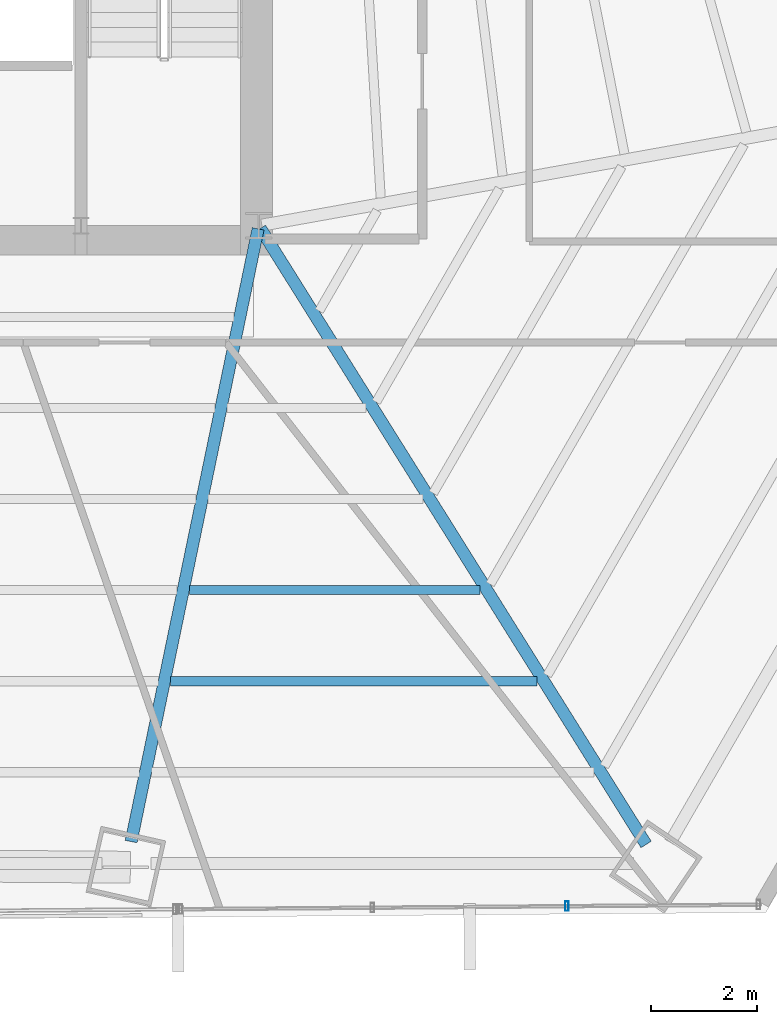
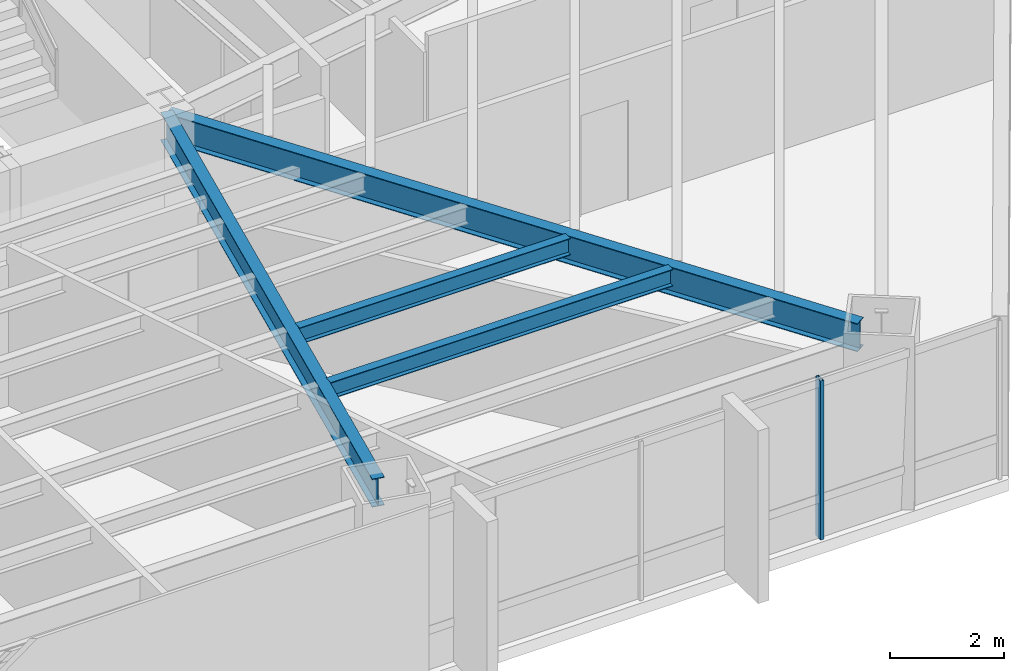
# One storey, part 16 of 35: 4 beams, 1 member, 1 element without a shape of its own.
"""IFC4 building model written with IfcOpenShell, lengths in metres."""

from ifc_helpers import new_model, si_unit, direction, frame, origin, origin_2d, place, context, subcontext, project, spatial, hollow_rectangle, i_section, extrude, source, transform, mapped, material, material_profile, profile_set, type_object, type_shapes, element, aggregate, save


model = new_model("IFC4")

# Units and contexts
model_context = context("Model", 3, precision=1e-05, world=origin(), true_north=direction((0.0, 1.0)))
body_context = subcontext(model_context, "Body", "Model", "MODEL_VIEW")
ifc_project = project(units=[si_unit("LENGTHUNIT", "METRE"), si_unit("AREAUNIT", "SQUARE_METRE"), si_unit("VOLUMEUNIT", "CUBIC_METRE"), si_unit("PLANEANGLEUNIT", "RADIAN"), si_unit("MASSUNIT", "GRAM", prefix="KILO")], contexts=[model_context])

# Site, building, storey
site_placement = place(None, origin())
site = spatial("IfcSite", under=ifc_project, at=site_placement, CompositionType="ELEMENT")
building_placement = place(site_placement, origin())
building = spatial("IfcBuilding", under=site, at=building_placement, Name="Caelisora Broadcast Tower", CompositionType="ELEMENT")
storey_placement = place(building_placement, frame((0.0, 0.0, 53.14990234375)))
storey = spatial("IfcBuildingStorey", under=building, at=storey_placement, Name="L13", CompositionType="ELEMENT", Elevation=53.14990234375)

# Beams
ifc_material_1 = material(Name="Steel Grade 350 (AS/NZS 3679.1)", Category="steel")
ifc_material_profile_1 = material_profile(ifc_material_1, i_section(OverallWidth=0.22802734375, OverallDepth=0.602294921875, WebThickness=0.010498046875, FlangeThickness=0.014892578125, at=origin_2d()), Name="Steel Grade 350 (AS/NZS 3679.1)")
ifc_profile_set_1 = profile_set([ifc_material_profile_1], Name="Steel Grade 350 (AS/NZS 3679.1)")
beam_type_1 = type_object("IfcBeamType", Name="PG04", PredefinedType="BEAM", material=ifc_profile_set_1)
shared_shape_1 = source(origin(), body_context, "Body", "SweptSolid", [
    extrude(i_section(OverallWidth=0.22802734375, OverallDepth=0.602294921875, WebThickness=0.010498046875, FlangeThickness=0.014892578125, at=origin_2d()), origin(), (0.0, 0.0, 1.0), 13.702880859375),
])
beam_1_placement = place(storey_placement, frame((45.53173828125, 17.34912109375, 3.098876953125), z_axis=(0.530616978633, -0.847611716523, 0.0), x_axis=(0.847611716523, 0.530616978633, 0.0)))
element("IfcBeam", 1, at=beam_1_placement, inside=storey, type_object=beam_type_1, Name="L13 beam PG04", PredefinedType="BEAM", context=body_context, shape_type="MappedRepresentation", body=[
    mapped(shared_shape_1, transform((0.0, 0.0, 0.0), scale=1.0)),
])
shared_shape_2 = source(origin(), body_context, "Body", "SweptSolid", [
    extrude(i_section(OverallWidth=0.22802734375, OverallDepth=0.602294921875, WebThickness=0.010498046875, FlangeThickness=0.014892578125, at=origin_2d()), origin(), (0.0, 0.0, 1.0), 11.796875),
])
type_shapes(beam_type_1, [shared_shape_1, shared_shape_2])
beam_2_placement = place(storey_placement, frame((45.48779296875, 17.34130859375, 3.098876953125), z_axis=(-0.202936809513, -0.979191835824, 0.0), x_axis=(0.979191835824, -0.202936809513, 0.0)))
element("IfcBeam", 2, at=beam_2_placement, inside=storey, type_object=beam_type_1, Name="L13 beam PG04", PredefinedType="BEAM", context=body_context, shape_type="MappedRepresentation", body=[
    mapped(shared_shape_2, transform((0.0, 0.0, 0.0), scale=1.0)),
])
ifc_material_profile_2 = material_profile(ifc_material_1, i_section(OverallWidth=0.172119140625, OverallDepth=0.358642578125, WebThickness=0.008056640625, FlangeThickness=0.012939453125, at=origin_2d()), Name="Steel Grade 350 (AS/NZS 3679.1)")
ifc_profile_set_2 = profile_set([ifc_material_profile_2], Name="Steel Grade 350 (AS/NZS 3679.1)")
beam_type_2 = type_object("IfcBeamType", Name="SB02", PredefinedType="JOIST", material=ifc_profile_set_2)
shared_shape_3 = source(origin(), body_context, "Body", "SweptSolid", [
    extrude(i_section(OverallWidth=0.172119140625, OverallDepth=0.358642578125, WebThickness=0.008056640625, FlangeThickness=0.012939453125, at=origin_2d()), origin(), (0.0, 0.0, 1.0), 5.47900390625),
])
beam_3_placement = place(storey_placement, frame((44.189697265625, 10.530517578125, 3.220703125), z_axis=(1.0, 0.0, 0.0), x_axis=(0.0, 1.0, 0.0)))
element("IfcBeam", 3, at=beam_3_placement, inside=storey, type_object=beam_type_2, Name="L13 beam SB02", PredefinedType="JOIST", context=body_context, shape_type="MappedRepresentation", body=[
    mapped(shared_shape_3, transform((0.0, 0.0, 0.0), scale=1.0)),
])
shared_shape_4 = source(origin(), body_context, "Body", "SweptSolid", [
    extrude(i_section(OverallWidth=0.172119140625, OverallDepth=0.358642578125, WebThickness=0.008056640625, FlangeThickness=0.012939453125, at=origin_2d()), origin(), (0.0, 0.0, 1.0), 6.91015625),
])
type_shapes(beam_type_2, [shared_shape_3, shared_shape_4])
beam_4_placement = place(storey_placement, frame((43.833740234375, 8.81298828125, 3.220703125), z_axis=(1.0, 0.0, 0.0), x_axis=(0.0, 1.0, 0.0)))
element("IfcBeam", 4, at=beam_4_placement, inside=storey, type_object=beam_type_2, Name="L13 beam SB02", PredefinedType="JOIST", context=body_context, shape_type="MappedRepresentation", body=[
    mapped(shared_shape_4, transform((0.0, 0.0, 0.0), scale=1.0)),
])

# Curtain wall, member
ifc_material_2 = material(Name="Unitised Aluminium and Low-E Glass Curtain Wall", Category="glass")
curtain_wall_type = type_object("IfcCurtainWallType", Name="CW-Z1", PredefinedType="NOTDEFINED", material=ifc_material_2)
curtain_wall_placement = place(storey_placement, origin())
curtain_wall = element("IfcCurtainWall", 5, at=curtain_wall_placement, inside=storey, type_object=curtain_wall_type, Name="L13 curtain wall CW-Z1", PredefinedType="NOTDEFINED")
ifc_material_3 = material(Name="Aluminium 6063-T6 Anodised Terracotta Bronze", Category="aluminium")
ifc_material_profile_3 = material_profile(ifc_material_3, hollow_rectangle(XDim=0.06494140625, YDim=0.179931640625, WallThickness=0.00341796875, at=origin_2d()), Name="Aluminium 6063-T6 Anodised Terracotta Bronze")
ifc_profile_set_3 = profile_set([ifc_material_profile_3], Name="Aluminium 6063-T6 Anodised Terracotta Bronze")
member_type = type_object("IfcMemberType", Name="CWM-02", PredefinedType="MULLION", material=ifc_profile_set_3)
shared_shape_5 = source(origin(), body_context, "Body", "SweptSolid", [
    extrude(hollow_rectangle(XDim=0.06494140625, YDim=0.179931640625, WallThickness=0.00341796875, at=origin_2d()), origin(), (0.0, 0.0, 1.0), 3.400146484375),
])
type_shapes(member_type, [shared_shape_5])
member_placement = place(storey_placement, frame((51.3076171875, 4.572021484375, 0.0), z_axis=(0.0, 0.0, 1.0), x_axis=(1.0, 0.0, 0.0)))
member = element("IfcMember", 6, at=member_placement, type_object=member_type, Name="L13-CW-B05 mullion #1", PredefinedType="MULLION", context=body_context, shape_type="MappedRepresentation", body=[
    mapped(shared_shape_5, transform((0.0, 0.0, 0.0), scale=1.0)),
])
aggregate(curtain_wall, [member])

save(model, "model.ifc")
